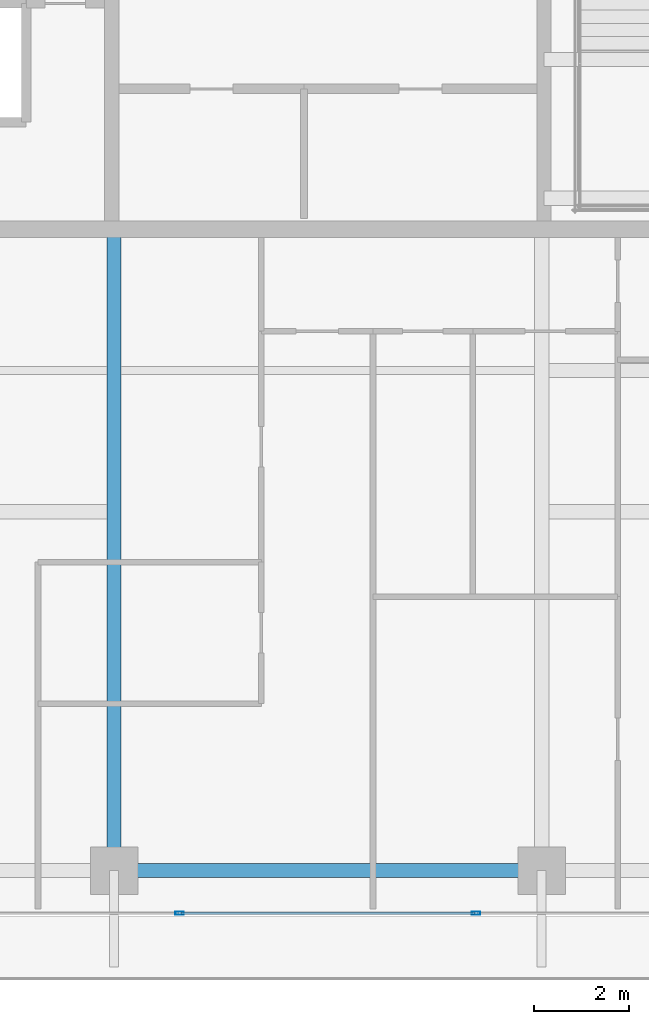
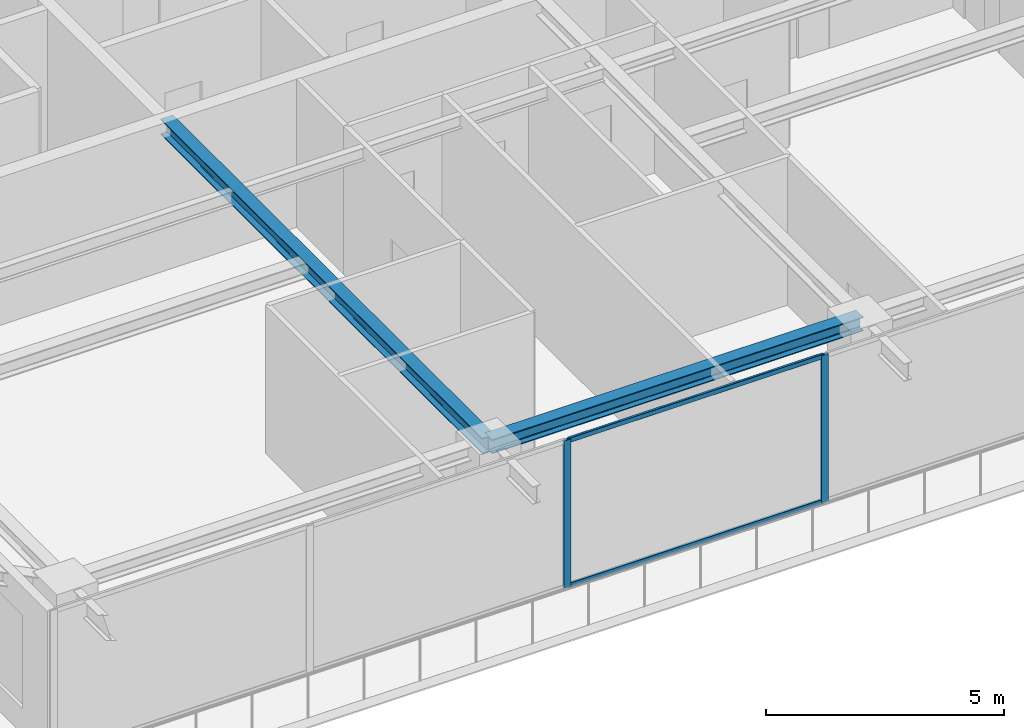
# One storey, part 6 of 39: 4 members, 2 beams, 1 element without a shape of its own.
"""IFC4 building model written with IfcOpenShell, lengths in metres."""

from ifc_helpers import new_model, si_unit, direction, frame, origin, origin_2d, place, context, subcontext, project, spatial, hollow_rectangle, i_section, extrude, source, transform, mapped, material, layer, layer_set, material_profile, profile_set, type_object, element, aggregate, save


model = new_model("IFC4")

# Units and contexts
model_context = context("Model", 3, precision=1e-05, world=origin(), true_north=direction((0.0, 1.0)))
body_context = subcontext(model_context, "Body", "Model", "MODEL_VIEW")
ifc_project = project(units=[si_unit("LENGTHUNIT", "METRE"), si_unit("AREAUNIT", "SQUARE_METRE"), si_unit("VOLUMEUNIT", "CUBIC_METRE"), si_unit("PLANEANGLEUNIT", "RADIAN"), si_unit("MASSUNIT", "GRAM", prefix="KILO")], contexts=[model_context])

# Site, building, storey
site_placement = place(None, origin())
site = spatial("IfcSite", under=ifc_project, at=site_placement, CompositionType="ELEMENT")
building_placement = place(site_placement, origin())
building = spatial("IfcBuilding", under=site, at=building_placement, Name="Serunith Strait Residences", CompositionType="ELEMENT")
storey_placement = place(building_placement, frame((0.0, 0.0, 329.89990234375)))
storey = spatial("IfcBuildingStorey", under=building, at=storey_placement, Name="L82", CompositionType="ELEMENT", Elevation=329.89990234375)

# Beams
ifc_material_1 = material(Name="Steel S355J2", Category="steel")
ifc_material_profile_1 = material_profile(ifc_material_1, i_section(OverallWidth=0.300048828125, OverallDepth=0.39990234375, WebThickness=0.013427734375, FlangeThickness=0.02392578125, FilletRadius=0.027099609375, at=origin_2d()), Name="HEB 400")
ifc_profile_set_1 = profile_set([ifc_material_profile_1], Name="Steel S355J2")
beam_type_1 = type_object("IfcBeamType", Name="BM-HEB400", PredefinedType="BEAM", material=ifc_profile_set_1)
shared_shape_1 = source(origin(), body_context, "Body", "SweptSolid", [
    extrude(i_section(OverallWidth=0.300048828125, OverallDepth=0.39990234375, WebThickness=0.013427734375, FlangeThickness=0.02392578125, FilletRadius=0.027099609375, at=origin_2d()), origin(), (0.0, 0.0, 1.0), 13.5),
])
beam_1_placement = place(storey_placement, frame((27.89990234375, 16.800048828125, 3.587158203125), z_axis=(0.0, -1.0, 0.0), x_axis=(1.0, 0.0, 0.0)))
element("IfcBeam", 1, at=beam_1_placement, inside=storey, type_object=beam_type_1, Name="L82 Primary Floor Girder TC-S2", PredefinedType="BEAM", context=body_context, shape_type="MappedRepresentation", body=[
    mapped(shared_shape_1, transform((0.0, 0.0, 0.0), scale=1.0)),
])
ifc_material_profile_2 = material_profile(ifc_material_1, i_section(OverallWidth=0.300048828125, OverallDepth=0.360107421875, WebThickness=0.012451171875, FlangeThickness=0.0224609375, FilletRadius=0.027099609375, at=origin_2d()), Name="HEB 360")
ifc_profile_set_2 = profile_set([ifc_material_profile_2], Name="Steel S355J2")
beam_type_2 = type_object("IfcBeamType", Name="BM-HEB360", PredefinedType="BEAM", material=ifc_profile_set_2)
shared_shape_2 = source(origin(), body_context, "Body", "SweptSolid", [
    extrude(i_section(OverallWidth=0.300048828125, OverallDepth=0.360107421875, WebThickness=0.012451171875, FlangeThickness=0.0224609375, FilletRadius=0.027099609375, at=origin_2d()), origin(), (0.0, 0.0, 1.0), 9.0),
])
beam_2_placement = place(storey_placement, frame((27.89990234375, 3.300048828125, 3.607177734375), z_axis=(1.0, 0.0, 0.0), x_axis=(0.0, 1.0, 0.0)))
element("IfcBeam", 2, at=beam_2_placement, inside=storey, type_object=beam_type_2, Name="L82 Perimeter Ring Beam 02", PredefinedType="BEAM", context=body_context, shape_type="MappedRepresentation", body=[
    mapped(shared_shape_2, transform((0.0, 0.0, 0.0), scale=1.0)),
])

# Curtain wall, members
ifc_material_2 = material(Name="Brushed Stainless-Silver Aluminium", Category="aluminium")
ifc_layer = layer(ifc_material_2, 0.199951171875, Name="Brushed Stainless-Silver Aluminium")
ifc_layer_set = layer_set([ifc_layer], Name="Brushed Stainless-Silver Aluminium")
curtain_wall_type = type_object("IfcCurtainWallType", Name="CW-SYS5", PredefinedType="NOTDEFINED", material=ifc_layer_set)
curtain_wall_placement = place(storey_placement, origin())
curtain_wall = element("IfcCurtainWall", 3, at=curtain_wall_placement, inside=storey, type_object=curtain_wall_type, Name="L82 S Unitised Fritted Curtain Wall", PredefinedType="NOTDEFINED")
ifc_material_profile_3 = material_profile(ifc_material_2, hollow_rectangle(XDim=0.06494140625, YDim=0.179931640625, WallThickness=0.00341796875, InnerFilletRadius=0.00537109375, OuterFilletRadius=0.0087890625, at=origin_2d()), Name="ALU 180x65x3.5")
ifc_profile_set_3 = profile_set([ifc_material_profile_3], Name="Brushed Stainless-Silver Aluminium")
member_type_1 = type_object("IfcMemberType", Name="CW-SYS5-MULL", PredefinedType="MULLION", material=ifc_profile_set_3)
shared_shape_3 = source(origin(), body_context, "Body", "SweptSolid", [
    extrude(hollow_rectangle(XDim=0.06494140625, YDim=0.179931640625, WallThickness=0.00341796875, InnerFilletRadius=0.00537109375, OuterFilletRadius=0.0087890625, at=origin_2d()), origin(), (0.0, 0.0, 1.0), 3.775146484375),
])
member_1_placement = place(storey_placement, frame((29.280029296875, 2.39990234375, 0.0), z_axis=(0.0, 0.0, 1.0), x_axis=(0.0, 1.0, 0.0)))
member_1 = element("IfcMember", 4, at=member_1_placement, type_object=member_type_1, Name="CW-5 mullion 3", PredefinedType="MULLION", context=body_context, shape_type="MappedRepresentation", body=[
    mapped(shared_shape_3, transform((0.0, 0.0, 0.0), scale=1.0)),
])
member_2_placement = place(storey_placement, frame((35.52001953125, 2.39990234375, 0.0), z_axis=(0.0, 0.0, 1.0), x_axis=(0.0, 1.0, 0.0)))
member_2 = element("IfcMember", 5, at=member_2_placement, type_object=member_type_1, Name="CW-5 mullion 4", PredefinedType="MULLION", context=body_context, shape_type="MappedRepresentation", body=[
    mapped(shared_shape_3, transform((0.0, 0.0, 0.0), scale=1.0)),
])
ifc_material_profile_4 = material_profile(ifc_material_2, hollow_rectangle(XDim=0.06005859375, YDim=0.1201171875, WallThickness=0.00341796875, InnerFilletRadius=0.00537109375, OuterFilletRadius=0.0087890625, at=origin_2d()), Name="ALU 120x60x3.5")
ifc_profile_set_4 = profile_set([ifc_material_profile_4], Name="Brushed Stainless-Silver Aluminium")
member_type_2 = type_object("IfcMemberType", Name="CW-SYS5-TRAN", PredefinedType="USERDEFINED", material=ifc_profile_set_4)
shared_shape_4 = source(origin(), body_context, "Body", "SweptSolid", [
    extrude(hollow_rectangle(XDim=0.06005859375, YDim=0.1201171875, WallThickness=0.00341796875, InnerFilletRadius=0.00537109375, OuterFilletRadius=0.0087890625, at=origin_2d()), origin(), (0.0, 0.0, 1.0), 6.175048828125),
])
member_3_placement = place(storey_placement, frame((29.3125, 2.39990234375, 0.030029296875), z_axis=(1.0, 0.0, 0.0), x_axis=(0.0, 1.0, 0.0)))
member_3 = element("IfcMember", 6, at=member_3_placement, type_object=member_type_2, Name="CW-5 transom 3.1", ObjectType="TRANSOM", PredefinedType="USERDEFINED", context=body_context, shape_type="MappedRepresentation", body=[
    mapped(shared_shape_4, transform((0.0, 0.0, 0.0), scale=1.0)),
])
member_4_placement = place(storey_placement, frame((29.3125, 2.39990234375, 3.7451171875), z_axis=(1.0, 0.0, 0.0), x_axis=(0.0, 1.0, 0.0)))
member_4 = element("IfcMember", 7, at=member_4_placement, type_object=member_type_2, Name="CW-5 transom 3.2", ObjectType="TRANSOM", PredefinedType="USERDEFINED", context=body_context, shape_type="MappedRepresentation", body=[
    mapped(shared_shape_4, transform((0.0, 0.0, 0.0), scale=1.0)),
])
aggregate(curtain_wall, [member_1, member_2, member_3, member_4])

save(model, "model.ifc")
